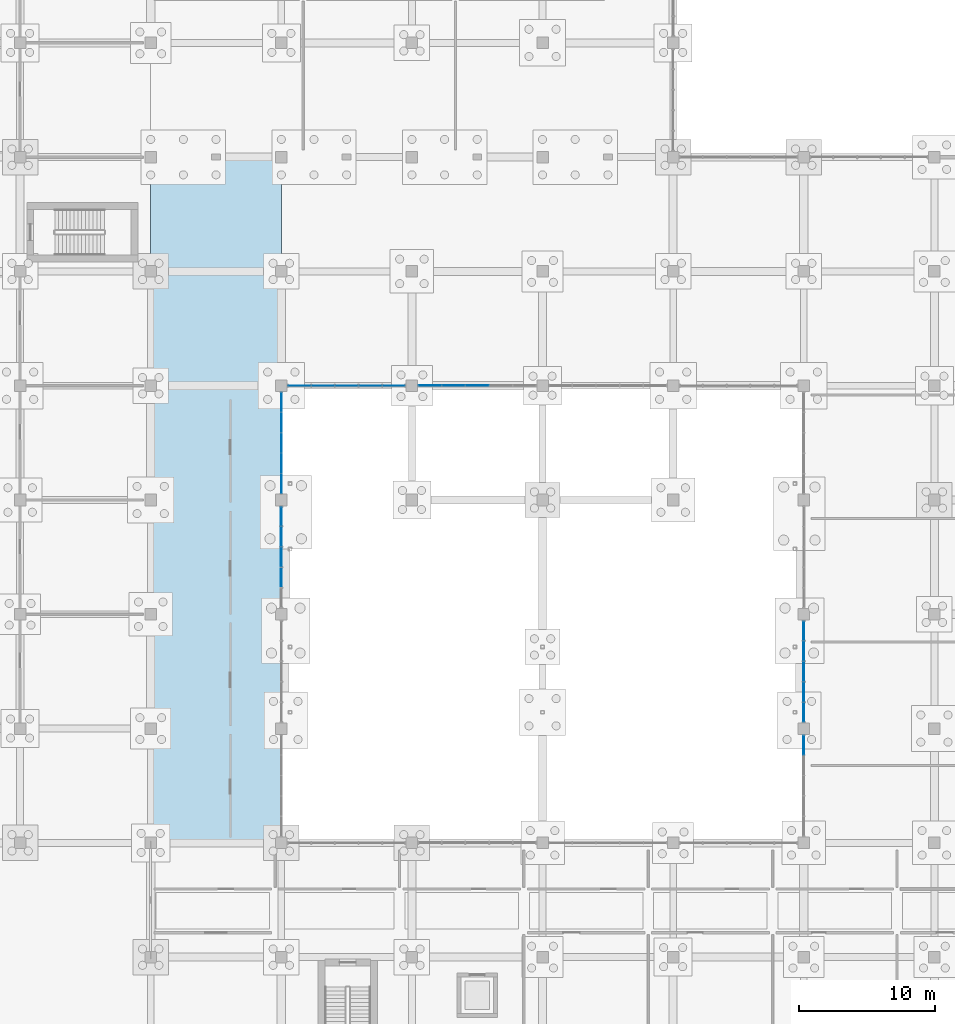
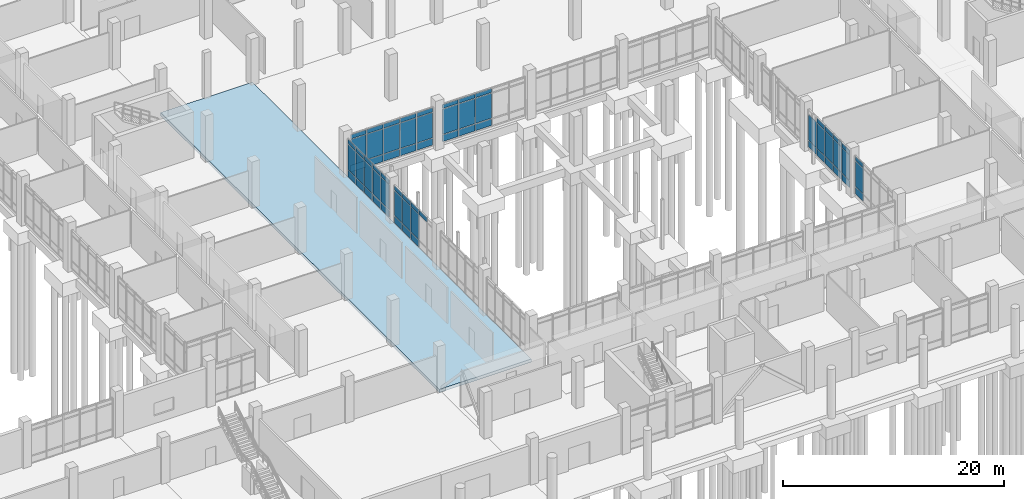
# One storey, part 84 of 136: 66 plates, 1 slab, 6 elements without a shape of their own.
"""IFC4 building model written with IfcOpenShell, lengths in metres."""

from ifc_helpers import new_model, si_unit, direction, frame, origin, origin_2d, place, context, subcontext, project, spatial, polyline, rectangle, outline, extrude, material, layer, layer_set, type_object, element, aggregate, save


model = new_model("IFC4")

# Units and contexts
model_context = context("Model", 3, precision=1e-05, world=origin(), true_north=direction((0.0, 1.0)))
body_context = subcontext(model_context, "Body", "Model", "MODEL_VIEW")
ifc_project = project(units=[si_unit("LENGTHUNIT", "METRE"), si_unit("AREAUNIT", "SQUARE_METRE"), si_unit("VOLUMEUNIT", "CUBIC_METRE"), si_unit("PLANEANGLEUNIT", "RADIAN"), si_unit("MASSUNIT", "GRAM", prefix="KILO")], contexts=[model_context])

# Site, building, storey
site_placement = place(None, origin())
site = spatial("IfcSite", under=ifc_project, at=site_placement, CompositionType="ELEMENT")
building_placement = place(site_placement, origin())
building = spatial("IfcBuilding", under=site, at=building_placement, Name="Oolite Switchyard Hospital", CompositionType="ELEMENT")
storey_placement = place(building_placement, origin())
storey = spatial("IfcBuildingStorey", under=building, at=storey_placement, Name="L00", CompositionType="ELEMENT", Elevation=0.0)

# Curtain wall, plates
ifc_material_1 = material(Name="Thermally broken aluminum frame with laminated impact glazing", Category="aluminium")
curtain_wall_type_1 = type_object("IfcCurtainWallType", Name="CW-UNIT-84X51", PredefinedType="USERDEFINED", material=ifc_material_1)
curtain_wall_1_placement = place(storey_placement, origin())
curtain_wall_1 = element("IfcCurtainWall", 1, at=curtain_wall_1_placement, inside=storey, type_object=curtain_wall_type_1, Name="L00 Unitised Curtain Wall 77", ObjectType="UNITISED", PredefinedType="USERDEFINED")
ifc_material_2 = material(Name="Insulated fluoropolymer-coated aluminum spandrel panel", Category="aluminium")
ifc_layer_1 = layer(ifc_material_2, 0.054931640625)
ifc_layer_set_1 = layer_set([ifc_layer_1], Name="CW-PNL-SPN55")
plate_type_1 = type_object("IfcPlateType", Name="CW-PNL-SPN55", PredefinedType="CURTAIN_PANEL", material=ifc_layer_set_1)
plate_1_placement = place(storey_placement, frame((144.0, 49.189208984375, 0.0751953125), z_axis=(0.0, 0.0, 1.0), x_axis=(0.0, -1.0, 0.0)))
plate_1 = element("IfcPlate", 2, at=plate_1_placement, type_object=plate_type_1, Name="CW-06 panel 1.1", PredefinedType="CURTAIN_PANEL", context=body_context, shape_type="SweptSolid", body=[
    extrude(rectangle(XDim=1.3916015625, YDim=0.054931640625, at=origin_2d()), origin(), (0.0, 0.0, 1.0), 0.737548828125),
])
plate_2_placement = place(storey_placement, frame((144.0, 49.189208984375, 0.8876953125), z_axis=(0.0, 0.0, 1.0), x_axis=(0.0, -1.0, 0.0)))
plate_2 = element("IfcPlate", 3, at=plate_2_placement, type_object=plate_type_1, Name="CW-06 panel 1.2", PredefinedType="CURTAIN_PANEL", context=body_context, shape_type="SweptSolid", body=[
    extrude(rectangle(XDim=1.3916015625, YDim=0.054931640625, at=origin_2d()), origin(), (0.0, 0.0, 1.0), 2.764892578125),
])
plate_3_placement = place(storey_placement, frame((144.0, 49.189208984375, 3.7275390625), z_axis=(0.0, 0.0, 1.0), x_axis=(0.0, -1.0, 0.0)))
plate_3 = element("IfcPlate", 4, at=plate_3_placement, type_object=plate_type_1, Name="CW-06 panel 1.3", PredefinedType="CURTAIN_PANEL", context=body_context, shape_type="SweptSolid", body=[
    extrude(rectangle(XDim=1.3916015625, YDim=0.054931640625, at=origin_2d()), origin(), (0.0, 0.0, 1.0), 0.4375),
])
plate_4_placement = place(storey_placement, frame((144.0, 47.7041015625, 0.0751953125), z_axis=(0.0, 0.0, 1.0), x_axis=(0.0, -1.0, 0.0)))
plate_4 = element("IfcPlate", 5, at=plate_4_placement, type_object=plate_type_1, Name="CW-06 panel 2.1", PredefinedType="CURTAIN_PANEL", context=body_context, shape_type="SweptSolid", body=[
    extrude(rectangle(XDim=1.428955078125, YDim=0.054931640625, at=origin_2d()), origin(), (0.0, 0.0, 1.0), 0.737548828125),
])
plate_5_placement = place(storey_placement, frame((144.0, 47.7041015625, 0.8876953125), z_axis=(0.0, 0.0, 1.0), x_axis=(0.0, -1.0, 0.0)))
plate_5 = element("IfcPlate", 6, at=plate_5_placement, type_object=plate_type_1, Name="CW-06 panel 2.2", PredefinedType="CURTAIN_PANEL", context=body_context, shape_type="SweptSolid", body=[
    extrude(rectangle(XDim=1.428955078125, YDim=0.054931640625, at=origin_2d()), origin(), (0.0, 0.0, 1.0), 2.764892578125),
])
plate_6_placement = place(storey_placement, frame((144.0, 47.7041015625, 3.7275390625), z_axis=(0.0, 0.0, 1.0), x_axis=(0.0, -1.0, 0.0)))
plate_6 = element("IfcPlate", 7, at=plate_6_placement, type_object=plate_type_1, Name="CW-06 panel 2.3", PredefinedType="CURTAIN_PANEL", context=body_context, shape_type="SweptSolid", body=[
    extrude(rectangle(XDim=1.428955078125, YDim=0.054931640625, at=origin_2d()), origin(), (0.0, 0.0, 1.0), 0.4375),
])
plate_7_placement = place(storey_placement, frame((144.0, 46.199951171875, 0.0751953125), z_axis=(0.0, 0.0, 1.0), x_axis=(0.0, -1.0, 0.0)))
plate_7 = element("IfcPlate", 8, at=plate_7_placement, type_object=plate_type_1, Name="CW-06 panel 3.1", PredefinedType="CURTAIN_PANEL", context=body_context, shape_type="SweptSolid", body=[
    extrude(rectangle(XDim=1.428955078125, YDim=0.054931640625, at=origin_2d()), origin(), (0.0, 0.0, 1.0), 0.737548828125),
])
plate_8_placement = place(storey_placement, frame((144.0, 46.199951171875, 0.8876953125), z_axis=(0.0, 0.0, 1.0), x_axis=(0.0, -1.0, 0.0)))
plate_8 = element("IfcPlate", 9, at=plate_8_placement, type_object=plate_type_1, Name="CW-06 panel 3.2", PredefinedType="CURTAIN_PANEL", context=body_context, shape_type="SweptSolid", body=[
    extrude(rectangle(XDim=1.428955078125, YDim=0.054931640625, at=origin_2d()), origin(), (0.0, 0.0, 1.0), 2.764892578125),
])
plate_9_placement = place(storey_placement, frame((144.0, 46.199951171875, 3.7275390625), z_axis=(0.0, 0.0, 1.0), x_axis=(0.0, -1.0, 0.0)))
plate_9 = element("IfcPlate", 10, at=plate_9_placement, type_object=plate_type_1, Name="CW-06 panel 3.3", PredefinedType="CURTAIN_PANEL", context=body_context, shape_type="SweptSolid", body=[
    extrude(rectangle(XDim=1.428955078125, YDim=0.054931640625, at=origin_2d()), origin(), (0.0, 0.0, 1.0), 0.4375),
])
plate_10_placement = place(storey_placement, frame((144.0, 44.696044921875, 3.7275390625), z_axis=(0.0, 0.0, 1.0), x_axis=(0.0, -1.0, 0.0)))
plate_10 = element("IfcPlate", 11, at=plate_10_placement, type_object=plate_type_1, Name="CW-06 panel 4.3", PredefinedType="CURTAIN_PANEL", context=body_context, shape_type="SweptSolid", body=[
    extrude(rectangle(XDim=1.428955078125, YDim=0.054931640625, at=origin_2d()), origin(), (0.0, 0.0, 1.0), 0.4375),
])
aggregate(curtain_wall_1, [plate_1, plate_2, plate_3, plate_4, plate_5, plate_6, plate_7, plate_8, plate_9, plate_10])

curtain_wall_2_placement = place(storey_placement, origin())
curtain_wall_2 = element("IfcCurtainWall", 12, at=curtain_wall_2_placement, inside=storey, type_object=curtain_wall_type_1, Name="L00 Unitised Curtain Wall 83", ObjectType="UNITISED", PredefinedType="USERDEFINED")
ifc_layer_2 = layer(ifc_material_2, 0.070068359375)
ifc_layer_set_2 = layer_set([ifc_layer_2], Name="CW-PNL-SPN70")
plate_type_2 = type_object("IfcPlateType", Name="CW-PNL-SPN70", PredefinedType="CURTAIN_PANEL", material=ifc_layer_set_2)
plate_11_placement = place(storey_placement, frame((182.39990234375, 34.810791015625, 0.0751953125), z_axis=(0.0, 0.0, 1.0), x_axis=(0.0, 1.0, 0.0)))
plate_11 = element("IfcPlate", 13, at=plate_11_placement, type_object=plate_type_2, Name="CW-06 panel 1.1", PredefinedType="CURTAIN_PANEL", context=body_context, shape_type="SweptSolid", body=[
    extrude(rectangle(XDim=1.3916015625, YDim=0.070068359375, at=origin_2d()), origin(), (0.0, 0.0, 1.0), 0.737548828125),
])
plate_12_placement = place(storey_placement, frame((182.39990234375, 34.810791015625, 0.8876953125), z_axis=(0.0, 0.0, 1.0), x_axis=(0.0, 1.0, 0.0)))
plate_12 = element("IfcPlate", 14, at=plate_12_placement, type_object=plate_type_2, Name="CW-06 panel 1.2", PredefinedType="CURTAIN_PANEL", context=body_context, shape_type="SweptSolid", body=[
    extrude(rectangle(XDim=1.3916015625, YDim=0.070068359375, at=origin_2d()), origin(), (0.0, 0.0, 1.0), 2.764892578125),
])
plate_13_placement = place(storey_placement, frame((182.39990234375, 34.810791015625, 3.7275390625), z_axis=(0.0, 0.0, 1.0), x_axis=(0.0, 1.0, 0.0)))
plate_13 = element("IfcPlate", 15, at=plate_13_placement, type_object=plate_type_2, Name="CW-06 panel 1.3", PredefinedType="CURTAIN_PANEL", context=body_context, shape_type="SweptSolid", body=[
    extrude(rectangle(XDim=1.3916015625, YDim=0.070068359375, at=origin_2d()), origin(), (0.0, 0.0, 1.0), 0.4375),
])
plate_14_placement = place(storey_placement, frame((182.39990234375, 36.2958984375, 0.0751953125), z_axis=(0.0, 0.0, 1.0), x_axis=(0.0, 1.0, 0.0)))
plate_14 = element("IfcPlate", 16, at=plate_14_placement, type_object=plate_type_2, Name="CW-06 panel 2.1", PredefinedType="CURTAIN_PANEL", context=body_context, shape_type="SweptSolid", body=[
    extrude(rectangle(XDim=1.428955078125, YDim=0.070068359375, at=origin_2d()), origin(), (0.0, 0.0, 1.0), 0.737548828125),
])
plate_15_placement = place(storey_placement, frame((182.39990234375, 36.2958984375, 0.8876953125), z_axis=(0.0, 0.0, 1.0), x_axis=(0.0, 1.0, 0.0)))
plate_15 = element("IfcPlate", 17, at=plate_15_placement, type_object=plate_type_2, Name="CW-06 panel 2.2", PredefinedType="CURTAIN_PANEL", context=body_context, shape_type="SweptSolid", body=[
    extrude(rectangle(XDim=1.428955078125, YDim=0.070068359375, at=origin_2d()), origin(), (0.0, 0.0, 1.0), 2.764892578125),
])
plate_16_placement = place(storey_placement, frame((182.39990234375, 36.2958984375, 3.7275390625), z_axis=(0.0, 0.0, 1.0), x_axis=(0.0, 1.0, 0.0)))
plate_16 = element("IfcPlate", 18, at=plate_16_placement, type_object=plate_type_2, Name="CW-06 panel 2.3", PredefinedType="CURTAIN_PANEL", context=body_context, shape_type="SweptSolid", body=[
    extrude(rectangle(XDim=1.428955078125, YDim=0.070068359375, at=origin_2d()), origin(), (0.0, 0.0, 1.0), 0.4375),
])
plate_17_placement = place(storey_placement, frame((182.39990234375, 37.800048828125, 0.0751953125), z_axis=(0.0, 0.0, 1.0), x_axis=(0.0, 1.0, 0.0)))
plate_17 = element("IfcPlate", 19, at=plate_17_placement, type_object=plate_type_2, Name="CW-06 panel 3.1", PredefinedType="CURTAIN_PANEL", context=body_context, shape_type="SweptSolid", body=[
    extrude(rectangle(XDim=1.428955078125, YDim=0.070068359375, at=origin_2d()), origin(), (0.0, 0.0, 1.0), 0.737548828125),
])
plate_18_placement = place(storey_placement, frame((182.39990234375, 37.800048828125, 0.8876953125), z_axis=(0.0, 0.0, 1.0), x_axis=(0.0, 1.0, 0.0)))
plate_18 = element("IfcPlate", 20, at=plate_18_placement, type_object=plate_type_2, Name="CW-06 panel 3.2", PredefinedType="CURTAIN_PANEL", context=body_context, shape_type="SweptSolid", body=[
    extrude(rectangle(XDim=1.428955078125, YDim=0.070068359375, at=origin_2d()), origin(), (0.0, 0.0, 1.0), 2.764892578125),
])
plate_19_placement = place(storey_placement, frame((182.39990234375, 37.800048828125, 3.7275390625), z_axis=(0.0, 0.0, 1.0), x_axis=(0.0, 1.0, 0.0)))
plate_19 = element("IfcPlate", 21, at=plate_19_placement, type_object=plate_type_2, Name="CW-06 panel 3.3", PredefinedType="CURTAIN_PANEL", context=body_context, shape_type="SweptSolid", body=[
    extrude(rectangle(XDim=1.428955078125, YDim=0.070068359375, at=origin_2d()), origin(), (0.0, 0.0, 1.0), 0.4375),
])
plate_20_placement = place(storey_placement, frame((182.39990234375, 39.303955078125, 0.0751953125), z_axis=(0.0, 0.0, 1.0), x_axis=(0.0, 1.0, 0.0)))
plate_20 = element("IfcPlate", 22, at=plate_20_placement, type_object=plate_type_2, Name="CW-06 panel 4.1", PredefinedType="CURTAIN_PANEL", context=body_context, shape_type="SweptSolid", body=[
    extrude(rectangle(XDim=1.428955078125, YDim=0.070068359375, at=origin_2d()), origin(), (0.0, 0.0, 1.0), 0.737548828125),
])
plate_21_placement = place(storey_placement, frame((182.39990234375, 39.303955078125, 0.8876953125), z_axis=(0.0, 0.0, 1.0), x_axis=(0.0, 1.0, 0.0)))
plate_21 = element("IfcPlate", 23, at=plate_21_placement, type_object=plate_type_2, Name="CW-06 panel 4.2", PredefinedType="CURTAIN_PANEL", context=body_context, shape_type="SweptSolid", body=[
    extrude(rectangle(XDim=1.428955078125, YDim=0.070068359375, at=origin_2d()), origin(), (0.0, 0.0, 1.0), 2.764892578125),
])
plate_22_placement = place(storey_placement, frame((182.39990234375, 39.303955078125, 3.7275390625), z_axis=(0.0, 0.0, 1.0), x_axis=(0.0, 1.0, 0.0)))
plate_22 = element("IfcPlate", 24, at=plate_22_placement, type_object=plate_type_2, Name="CW-06 panel 4.3", PredefinedType="CURTAIN_PANEL", context=body_context, shape_type="SweptSolid", body=[
    extrude(rectangle(XDim=1.428955078125, YDim=0.070068359375, at=origin_2d()), origin(), (0.0, 0.0, 1.0), 0.4375),
])
plate_23_placement = place(storey_placement, frame((182.39990234375, 40.789306640625, 0.0751953125), z_axis=(0.0, 0.0, 1.0), x_axis=(0.0, 1.0, 0.0)))
plate_23 = element("IfcPlate", 25, at=plate_23_placement, type_object=plate_type_2, Name="CW-06 panel 5.1", PredefinedType="CURTAIN_PANEL", context=body_context, shape_type="SweptSolid", body=[
    extrude(rectangle(XDim=1.3916015625, YDim=0.070068359375, at=origin_2d()), origin(), (0.0, 0.0, 1.0), 0.737548828125),
])
plate_24_placement = place(storey_placement, frame((182.39990234375, 40.789306640625, 0.8876953125), z_axis=(0.0, 0.0, 1.0), x_axis=(0.0, 1.0, 0.0)))
plate_24 = element("IfcPlate", 26, at=plate_24_placement, type_object=plate_type_2, Name="CW-06 panel 5.2", PredefinedType="CURTAIN_PANEL", context=body_context, shape_type="SweptSolid", body=[
    extrude(rectangle(XDim=1.3916015625, YDim=0.070068359375, at=origin_2d()), origin(), (0.0, 0.0, 1.0), 2.764892578125),
])
aggregate(curtain_wall_2, [plate_11, plate_12, plate_13, plate_14, plate_15, plate_16, plate_17, plate_18, plate_19, plate_20, plate_21, plate_22, plate_23, plate_24])

curtain_wall_type_2 = type_object("IfcCurtainWallType", Name="CW-UNIT-96X51", PredefinedType="USERDEFINED", material=ifc_material_1)
curtain_wall_3_placement = place(storey_placement, origin())
curtain_wall_3 = element("IfcCurtainWall", 27, at=curtain_wall_3_placement, inside=storey, type_object=curtain_wall_type_2, Name="L00 Unitised Curtain Wall 20", ObjectType="UNITISED", PredefinedType="USERDEFINED")
ifc_material_3 = material(Name="Laminated hurricane-impact insulated glazing unit", Category="glass")
ifc_layer_3 = layer(ifc_material_3, 0.028076171875)
ifc_layer_set_3 = layer_set([ifc_layer_3], Name="CW-PNL-VIS28")
plate_type_3 = type_object("IfcPlateType", Name="CW-PNL-VIS28", PredefinedType="CURTAIN_PANEL", material=ifc_layer_set_3)
plate_25_placement = place(storey_placement, frame((152.269287109375, 58.800048828125, 0.06005859375), z_axis=(0.0, 0.0, 1.0), x_axis=(-1.0, 0.0, 0.0)))
plate_25 = element("IfcPlate", 28, at=plate_25_placement, type_object=plate_type_3, Name="CW-01 panel 1.1", PredefinedType="CURTAIN_PANEL", context=body_context, shape_type="SweptSolid", body=[
    extrude(rectangle(XDim=1.631591796875, YDim=0.028076171875, at=origin_2d()), origin(), (0.0, 0.0, 1.0), 0.760009765625),
])
plate_26_placement = place(storey_placement, frame((152.269287109375, 58.800048828125, 0.8798828125), z_axis=(0.0, 0.0, 1.0), x_axis=(-1.0, 0.0, 0.0)))
plate_26 = element("IfcPlate", 29, at=plate_26_placement, type_object=plate_type_3, Name="CW-01 panel 1.2", PredefinedType="CURTAIN_PANEL", context=body_context, shape_type="SweptSolid", body=[
    extrude(rectangle(XDim=1.631591796875, YDim=0.028076171875, at=origin_2d()), origin(), (0.0, 0.0, 1.0), 2.780029296875),
])
plate_27_placement = place(storey_placement, frame((152.269287109375, 58.800048828125, 3.719970703125), z_axis=(0.0, 0.0, 1.0), x_axis=(-1.0, 0.0, 0.0)))
plate_27 = element("IfcPlate", 30, at=plate_27_placement, type_object=plate_type_3, Name="CW-01 panel 1.3", PredefinedType="CURTAIN_PANEL", context=body_context, shape_type="SweptSolid", body=[
    extrude(rectangle(XDim=1.631591796875, YDim=0.028076171875, at=origin_2d()), origin(), (0.0, 0.0, 1.0), 0.4599609375),
])
plate_28_placement = place(storey_placement, frame((150.5439453125, 58.800048828125, 0.06005859375), z_axis=(0.0, 0.0, 1.0), x_axis=(-1.0, 0.0, 0.0)))
plate_28 = element("IfcPlate", 31, at=plate_28_placement, type_object=plate_type_3, Name="CW-01 panel 2.1", PredefinedType="CURTAIN_PANEL", context=body_context, shape_type="SweptSolid", body=[
    extrude(rectangle(XDim=1.6689453125, YDim=0.028076171875, at=origin_2d()), origin(), (0.0, 0.0, 1.0), 0.760009765625),
])
plate_29_placement = place(storey_placement, frame((150.5439453125, 58.800048828125, 0.8798828125), z_axis=(0.0, 0.0, 1.0), x_axis=(-1.0, 0.0, 0.0)))
plate_29 = element("IfcPlate", 32, at=plate_29_placement, type_object=plate_type_3, Name="CW-01 panel 2.2", PredefinedType="CURTAIN_PANEL", context=body_context, shape_type="SweptSolid", body=[
    extrude(rectangle(XDim=1.6689453125, YDim=0.028076171875, at=origin_2d()), origin(), (0.0, 0.0, 1.0), 2.780029296875),
])
plate_30_placement = place(storey_placement, frame((150.5439453125, 58.800048828125, 3.719970703125), z_axis=(0.0, 0.0, 1.0), x_axis=(-1.0, 0.0, 0.0)))
plate_30 = element("IfcPlate", 33, at=plate_30_placement, type_object=plate_type_3, Name="CW-01 panel 2.3", PredefinedType="CURTAIN_PANEL", context=body_context, shape_type="SweptSolid", body=[
    extrude(rectangle(XDim=1.6689453125, YDim=0.028076171875, at=origin_2d()), origin(), (0.0, 0.0, 1.0), 0.4599609375),
])
plate_31_placement = place(storey_placement, frame((148.800048828125, 58.800048828125, 0.06005859375), z_axis=(0.0, 0.0, 1.0), x_axis=(-1.0, 0.0, 0.0)))
plate_31 = element("IfcPlate", 34, at=plate_31_placement, type_object=plate_type_3, Name="CW-01 panel 3.1", PredefinedType="CURTAIN_PANEL", context=body_context, shape_type="SweptSolid", body=[
    extrude(rectangle(XDim=1.6689453125, YDim=0.028076171875, at=origin_2d()), origin(), (0.0, 0.0, 1.0), 0.760009765625),
])
plate_32_placement = place(storey_placement, frame((148.800048828125, 58.800048828125, 0.8798828125), z_axis=(0.0, 0.0, 1.0), x_axis=(-1.0, 0.0, 0.0)))
plate_32 = element("IfcPlate", 35, at=plate_32_placement, type_object=plate_type_3, Name="CW-01 panel 3.2", PredefinedType="CURTAIN_PANEL", context=body_context, shape_type="SweptSolid", body=[
    extrude(rectangle(XDim=1.6689453125, YDim=0.028076171875, at=origin_2d()), origin(), (0.0, 0.0, 1.0), 2.780029296875),
])
plate_33_placement = place(storey_placement, frame((148.800048828125, 58.800048828125, 3.719970703125), z_axis=(0.0, 0.0, 1.0), x_axis=(-1.0, 0.0, 0.0)))
plate_33 = element("IfcPlate", 36, at=plate_33_placement, type_object=plate_type_3, Name="CW-01 panel 3.3", PredefinedType="CURTAIN_PANEL", context=body_context, shape_type="SweptSolid", body=[
    extrude(rectangle(XDim=1.6689453125, YDim=0.028076171875, at=origin_2d()), origin(), (0.0, 0.0, 1.0), 0.4599609375),
])
plate_34_placement = place(storey_placement, frame((147.055908203125, 58.800048828125, 0.06005859375), z_axis=(0.0, 0.0, 1.0), x_axis=(-1.0, 0.0, 0.0)))
plate_34 = element("IfcPlate", 37, at=plate_34_placement, type_object=plate_type_3, Name="CW-01 panel 4.1", PredefinedType="CURTAIN_PANEL", context=body_context, shape_type="SweptSolid", body=[
    extrude(rectangle(XDim=1.6689453125, YDim=0.028076171875, at=origin_2d()), origin(), (0.0, 0.0, 1.0), 0.760009765625),
])
plate_35_placement = place(storey_placement, frame((147.055908203125, 58.800048828125, 0.8798828125), z_axis=(0.0, 0.0, 1.0), x_axis=(-1.0, 0.0, 0.0)))
plate_35 = element("IfcPlate", 38, at=plate_35_placement, type_object=plate_type_3, Name="CW-01 panel 4.2", PredefinedType="CURTAIN_PANEL", context=body_context, shape_type="SweptSolid", body=[
    extrude(rectangle(XDim=1.6689453125, YDim=0.028076171875, at=origin_2d()), origin(), (0.0, 0.0, 1.0), 2.780029296875),
])
plate_36_placement = place(storey_placement, frame((147.055908203125, 58.800048828125, 3.719970703125), z_axis=(0.0, 0.0, 1.0), x_axis=(-1.0, 0.0, 0.0)))
plate_36 = element("IfcPlate", 39, at=plate_36_placement, type_object=plate_type_3, Name="CW-01 panel 4.3", PredefinedType="CURTAIN_PANEL", context=body_context, shape_type="SweptSolid", body=[
    extrude(rectangle(XDim=1.6689453125, YDim=0.028076171875, at=origin_2d()), origin(), (0.0, 0.0, 1.0), 0.4599609375),
])
plate_37_placement = place(storey_placement, frame((145.330810546875, 58.800048828125, 0.06005859375), z_axis=(0.0, 0.0, 1.0), x_axis=(-1.0, 0.0, 0.0)))
plate_37 = element("IfcPlate", 40, at=plate_37_placement, type_object=plate_type_3, Name="CW-01 panel 5.1", PredefinedType="CURTAIN_PANEL", context=body_context, shape_type="SweptSolid", body=[
    extrude(rectangle(XDim=1.631591796875, YDim=0.028076171875, at=origin_2d()), origin(), (0.0, 0.0, 1.0), 0.760009765625),
])
plate_38_placement = place(storey_placement, frame((145.330810546875, 58.800048828125, 0.8798828125), z_axis=(0.0, 0.0, 1.0), x_axis=(-1.0, 0.0, 0.0)))
plate_38 = element("IfcPlate", 41, at=plate_38_placement, type_object=plate_type_3, Name="CW-01 panel 5.2", PredefinedType="CURTAIN_PANEL", context=body_context, shape_type="SweptSolid", body=[
    extrude(rectangle(XDim=1.631591796875, YDim=0.028076171875, at=origin_2d()), origin(), (0.0, 0.0, 1.0), 2.780029296875),
])
plate_39_placement = place(storey_placement, frame((145.330810546875, 58.800048828125, 3.719970703125), z_axis=(0.0, 0.0, 1.0), x_axis=(-1.0, 0.0, 0.0)))
plate_39 = element("IfcPlate", 42, at=plate_39_placement, type_object=plate_type_3, Name="CW-01 panel 5.3", PredefinedType="CURTAIN_PANEL", context=body_context, shape_type="SweptSolid", body=[
    extrude(rectangle(XDim=1.631591796875, YDim=0.028076171875, at=origin_2d()), origin(), (0.0, 0.0, 1.0), 0.4599609375),
])
aggregate(curtain_wall_3, [plate_25, plate_26, plate_27, plate_28, plate_29, plate_30, plate_31, plate_32, plate_33, plate_34, plate_35, plate_36, plate_37, plate_38, plate_39])

curtain_wall_4_placement = place(storey_placement, origin())
curtain_wall_4 = element("IfcCurtainWall", 43, at=curtain_wall_4_placement, inside=storey, type_object=curtain_wall_type_1, Name="L00 Unitised Curtain Wall 78", ObjectType="UNITISED", PredefinedType="USERDEFINED")
plate_40_placement = place(storey_placement, frame((144.0, 57.593017578125, 0.06005859375), z_axis=(0.0, 0.0, 1.0), x_axis=(0.0, -1.0, 0.0)))
plate_40 = element("IfcPlate", 44, at=plate_40_placement, type_object=plate_type_3, Name="CW-06 panel 1.1", PredefinedType="CURTAIN_PANEL", context=body_context, shape_type="SweptSolid", body=[
    extrude(rectangle(XDim=1.4140625, YDim=0.028076171875, at=origin_2d()), origin(), (0.0, 0.0, 1.0), 0.760009765625),
])
plate_41_placement = place(storey_placement, frame((144.0, 57.593017578125, 0.8798828125), z_axis=(0.0, 0.0, 1.0), x_axis=(0.0, -1.0, 0.0)))
plate_41 = element("IfcPlate", 45, at=plate_41_placement, type_object=plate_type_3, Name="CW-06 panel 1.2", PredefinedType="CURTAIN_PANEL", context=body_context, shape_type="SweptSolid", body=[
    extrude(rectangle(XDim=1.4140625, YDim=0.028076171875, at=origin_2d()), origin(), (0.0, 0.0, 1.0), 2.780029296875),
])
plate_42_placement = place(storey_placement, frame((144.0, 57.593017578125, 3.719970703125), z_axis=(0.0, 0.0, 1.0), x_axis=(0.0, -1.0, 0.0)))
plate_42 = element("IfcPlate", 46, at=plate_42_placement, type_object=plate_type_3, Name="CW-06 panel 1.3", PredefinedType="CURTAIN_PANEL", context=body_context, shape_type="SweptSolid", body=[
    extrude(rectangle(XDim=1.4140625, YDim=0.028076171875, at=origin_2d()), origin(), (0.0, 0.0, 1.0), 0.4599609375),
])
plate_43_placement = place(storey_placement, frame((144.0, 56.10400390625, 0.06005859375), z_axis=(0.0, 0.0, 1.0), x_axis=(0.0, -1.0, 0.0)))
plate_43 = element("IfcPlate", 47, at=plate_43_placement, type_object=plate_type_3, Name="CW-06 panel 2.1", PredefinedType="CURTAIN_PANEL", context=body_context, shape_type="SweptSolid", body=[
    extrude(rectangle(XDim=1.444091796875, YDim=0.028076171875, at=origin_2d()), origin(), (0.0, 0.0, 1.0), 0.760009765625),
])
plate_44_placement = place(storey_placement, frame((144.0, 56.10400390625, 0.8798828125), z_axis=(0.0, 0.0, 1.0), x_axis=(0.0, -1.0, 0.0)))
plate_44 = element("IfcPlate", 48, at=plate_44_placement, type_object=plate_type_3, Name="CW-06 panel 2.2", PredefinedType="CURTAIN_PANEL", context=body_context, shape_type="SweptSolid", body=[
    extrude(rectangle(XDim=1.444091796875, YDim=0.028076171875, at=origin_2d()), origin(), (0.0, 0.0, 1.0), 2.780029296875),
])
plate_45_placement = place(storey_placement, frame((144.0, 56.10400390625, 3.719970703125), z_axis=(0.0, 0.0, 1.0), x_axis=(0.0, -1.0, 0.0)))
plate_45 = element("IfcPlate", 49, at=plate_45_placement, type_object=plate_type_3, Name="CW-06 panel 2.3", PredefinedType="CURTAIN_PANEL", context=body_context, shape_type="SweptSolid", body=[
    extrude(rectangle(XDim=1.444091796875, YDim=0.028076171875, at=origin_2d()), origin(), (0.0, 0.0, 1.0), 0.4599609375),
])
plate_46_placement = place(storey_placement, frame((144.0, 54.60009765625, 0.06005859375), z_axis=(0.0, 0.0, 1.0), x_axis=(0.0, -1.0, 0.0)))
plate_46 = element("IfcPlate", 50, at=plate_46_placement, type_object=plate_type_3, Name="CW-06 panel 3.1", PredefinedType="CURTAIN_PANEL", context=body_context, shape_type="SweptSolid", body=[
    extrude(rectangle(XDim=1.444091796875, YDim=0.028076171875, at=origin_2d()), origin(), (0.0, 0.0, 1.0), 0.760009765625),
])
plate_47_placement = place(storey_placement, frame((144.0, 54.60009765625, 0.8798828125), z_axis=(0.0, 0.0, 1.0), x_axis=(0.0, -1.0, 0.0)))
plate_47 = element("IfcPlate", 51, at=plate_47_placement, type_object=plate_type_3, Name="CW-06 panel 3.2", PredefinedType="CURTAIN_PANEL", context=body_context, shape_type="SweptSolid", body=[
    extrude(rectangle(XDim=1.444091796875, YDim=0.028076171875, at=origin_2d()), origin(), (0.0, 0.0, 1.0), 2.780029296875),
])
plate_48_placement = place(storey_placement, frame((144.0, 54.60009765625, 3.719970703125), z_axis=(0.0, 0.0, 1.0), x_axis=(0.0, -1.0, 0.0)))
plate_48 = element("IfcPlate", 52, at=plate_48_placement, type_object=plate_type_3, Name="CW-06 panel 3.3", PredefinedType="CURTAIN_PANEL", context=body_context, shape_type="SweptSolid", body=[
    extrude(rectangle(XDim=1.444091796875, YDim=0.028076171875, at=origin_2d()), origin(), (0.0, 0.0, 1.0), 0.4599609375),
])
plate_49_placement = place(storey_placement, frame((144.0, 53.095947265625, 0.06005859375), z_axis=(0.0, 0.0, 1.0), x_axis=(0.0, -1.0, 0.0)))
plate_49 = element("IfcPlate", 53, at=plate_49_placement, type_object=plate_type_3, Name="CW-06 panel 4.1", PredefinedType="CURTAIN_PANEL", context=body_context, shape_type="SweptSolid", body=[
    extrude(rectangle(XDim=1.444091796875, YDim=0.028076171875, at=origin_2d()), origin(), (0.0, 0.0, 1.0), 0.760009765625),
])
plate_50_placement = place(storey_placement, frame((144.0, 53.095947265625, 0.8798828125), z_axis=(0.0, 0.0, 1.0), x_axis=(0.0, -1.0, 0.0)))
plate_50 = element("IfcPlate", 54, at=plate_50_placement, type_object=plate_type_3, Name="CW-06 panel 4.2", PredefinedType="CURTAIN_PANEL", context=body_context, shape_type="SweptSolid", body=[
    extrude(rectangle(XDim=1.444091796875, YDim=0.028076171875, at=origin_2d()), origin(), (0.0, 0.0, 1.0), 2.780029296875),
])
plate_51_placement = place(storey_placement, frame((144.0, 53.095947265625, 3.719970703125), z_axis=(0.0, 0.0, 1.0), x_axis=(0.0, -1.0, 0.0)))
plate_51 = element("IfcPlate", 55, at=plate_51_placement, type_object=plate_type_3, Name="CW-06 panel 4.3", PredefinedType="CURTAIN_PANEL", context=body_context, shape_type="SweptSolid", body=[
    extrude(rectangle(XDim=1.444091796875, YDim=0.028076171875, at=origin_2d()), origin(), (0.0, 0.0, 1.0), 0.4599609375),
])
plate_52_placement = place(storey_placement, frame((144.0, 51.60693359375, 0.06005859375), z_axis=(0.0, 0.0, 1.0), x_axis=(0.0, -1.0, 0.0)))
plate_52 = element("IfcPlate", 56, at=plate_52_placement, type_object=plate_type_3, Name="CW-06 panel 5.1", PredefinedType="CURTAIN_PANEL", context=body_context, shape_type="SweptSolid", body=[
    extrude(rectangle(XDim=1.4140625, YDim=0.028076171875, at=origin_2d()), origin(), (0.0, 0.0, 1.0), 0.760009765625),
])
plate_53_placement = place(storey_placement, frame((144.0, 51.60693359375, 0.8798828125), z_axis=(0.0, 0.0, 1.0), x_axis=(0.0, -1.0, 0.0)))
plate_53 = element("IfcPlate", 57, at=plate_53_placement, type_object=plate_type_3, Name="CW-06 panel 5.2", PredefinedType="CURTAIN_PANEL", context=body_context, shape_type="SweptSolid", body=[
    extrude(rectangle(XDim=1.4140625, YDim=0.028076171875, at=origin_2d()), origin(), (0.0, 0.0, 1.0), 2.780029296875),
])
plate_54_placement = place(storey_placement, frame((144.0, 51.60693359375, 3.719970703125), z_axis=(0.0, 0.0, 1.0), x_axis=(0.0, -1.0, 0.0)))
plate_54 = element("IfcPlate", 58, at=plate_54_placement, type_object=plate_type_3, Name="CW-06 panel 5.3", PredefinedType="CURTAIN_PANEL", context=body_context, shape_type="SweptSolid", body=[
    extrude(rectangle(XDim=1.4140625, YDim=0.028076171875, at=origin_2d()), origin(), (0.0, 0.0, 1.0), 0.4599609375),
])
aggregate(curtain_wall_4, [plate_40, plate_41, plate_42, plate_43, plate_44, plate_45, plate_46, plate_47, plate_48, plate_49, plate_50, plate_51, plate_52, plate_53, plate_54])

curtain_wall_5_placement = place(storey_placement, origin())
curtain_wall_5 = element("IfcCurtainWall", 59, at=curtain_wall_5_placement, inside=storey, type_object=curtain_wall_type_2, Name="L00 Unitised Curtain Wall 21", ObjectType="UNITISED", PredefinedType="USERDEFINED")
ifc_layer_4 = layer(ifc_material_3, 0.035888671875)
ifc_layer_set_4 = layer_set([ifc_layer_4], Name="CW-PNL-VIS36")
plate_type_4 = type_object("IfcPlateType", Name="CW-PNL-VIS36", PredefinedType="CURTAIN_PANEL", material=ifc_layer_set_4)
plate_55_placement = place(storey_placement, frame((158.39990234375, 58.800048828125, 0.0751953125), z_axis=(0.0, 0.0, 1.0), x_axis=(-1.0, 0.0, 0.0)))
plate_55 = element("IfcPlate", 60, at=plate_55_placement, type_object=plate_type_4, Name="CW-01 panel 3.1", PredefinedType="CURTAIN_PANEL", context=body_context, shape_type="SweptSolid", body=[
    extrude(rectangle(XDim=1.68408203125, YDim=0.035888671875, at=origin_2d()), origin(), (0.0, 0.0, 1.0), 0.737548828125),
])
plate_56_placement = place(storey_placement, frame((158.39990234375, 58.800048828125, 0.8876953125), z_axis=(0.0, 0.0, 1.0), x_axis=(-1.0, 0.0, 0.0)))
plate_56 = element("IfcPlate", 61, at=plate_56_placement, type_object=plate_type_4, Name="CW-01 panel 3.2", PredefinedType="CURTAIN_PANEL", context=body_context, shape_type="SweptSolid", body=[
    extrude(rectangle(XDim=1.68408203125, YDim=0.035888671875, at=origin_2d()), origin(), (0.0, 0.0, 1.0), 2.764892578125),
])
plate_57_placement = place(storey_placement, frame((158.39990234375, 58.800048828125, 3.7275390625), z_axis=(0.0, 0.0, 1.0), x_axis=(-1.0, 0.0, 0.0)))
plate_57 = element("IfcPlate", 62, at=plate_57_placement, type_object=plate_type_4, Name="CW-01 panel 3.3", PredefinedType="CURTAIN_PANEL", context=body_context, shape_type="SweptSolid", body=[
    extrude(rectangle(XDim=1.68408203125, YDim=0.035888671875, at=origin_2d()), origin(), (0.0, 0.0, 1.0), 0.4375),
])
plate_58_placement = place(storey_placement, frame((156.656005859375, 58.800048828125, 0.0751953125), z_axis=(0.0, 0.0, 1.0), x_axis=(-1.0, 0.0, 0.0)))
plate_58 = element("IfcPlate", 63, at=plate_58_placement, type_object=plate_type_4, Name="CW-01 panel 4.1", PredefinedType="CURTAIN_PANEL", context=body_context, shape_type="SweptSolid", body=[
    extrude(rectangle(XDim=1.68408203125, YDim=0.035888671875, at=origin_2d()), origin(), (0.0, 0.0, 1.0), 0.737548828125),
])
plate_59_placement = place(storey_placement, frame((156.656005859375, 58.800048828125, 0.8876953125), z_axis=(0.0, 0.0, 1.0), x_axis=(-1.0, 0.0, 0.0)))
plate_59 = element("IfcPlate", 64, at=plate_59_placement, type_object=plate_type_4, Name="CW-01 panel 4.2", PredefinedType="CURTAIN_PANEL", context=body_context, shape_type="SweptSolid", body=[
    extrude(rectangle(XDim=1.68408203125, YDim=0.035888671875, at=origin_2d()), origin(), (0.0, 0.0, 1.0), 2.764892578125),
])
plate_60_placement = place(storey_placement, frame((156.656005859375, 58.800048828125, 3.7275390625), z_axis=(0.0, 0.0, 1.0), x_axis=(-1.0, 0.0, 0.0)))
plate_60 = element("IfcPlate", 65, at=plate_60_placement, type_object=plate_type_4, Name="CW-01 panel 4.3", PredefinedType="CURTAIN_PANEL", context=body_context, shape_type="SweptSolid", body=[
    extrude(rectangle(XDim=1.68408203125, YDim=0.035888671875, at=origin_2d()), origin(), (0.0, 0.0, 1.0), 0.4375),
])
plate_61_placement = place(storey_placement, frame((154.927001953125, 58.800048828125, 0.0751953125), z_axis=(0.0, 0.0, 1.0), x_axis=(-1.0, 0.0, 0.0)))
plate_61 = element("IfcPlate", 66, at=plate_61_placement, type_object=plate_type_4, Name="CW-01 panel 5.1", PredefinedType="CURTAIN_PANEL", context=body_context, shape_type="SweptSolid", body=[
    extrude(rectangle(XDim=1.654052734375, YDim=0.035888671875, at=origin_2d()), origin(), (0.0, 0.0, 1.0), 0.737548828125),
])
plate_62_placement = place(storey_placement, frame((154.927001953125, 58.800048828125, 0.8876953125), z_axis=(0.0, 0.0, 1.0), x_axis=(-1.0, 0.0, 0.0)))
plate_62 = element("IfcPlate", 67, at=plate_62_placement, type_object=plate_type_4, Name="CW-01 panel 5.2", PredefinedType="CURTAIN_PANEL", context=body_context, shape_type="SweptSolid", body=[
    extrude(rectangle(XDim=1.654052734375, YDim=0.035888671875, at=origin_2d()), origin(), (0.0, 0.0, 1.0), 2.764892578125),
])
plate_63_placement = place(storey_placement, frame((154.927001953125, 58.800048828125, 3.7275390625), z_axis=(0.0, 0.0, 1.0), x_axis=(-1.0, 0.0, 0.0)))
plate_63 = element("IfcPlate", 68, at=plate_63_placement, type_object=plate_type_4, Name="CW-01 panel 5.3", PredefinedType="CURTAIN_PANEL", context=body_context, shape_type="SweptSolid", body=[
    extrude(rectangle(XDim=1.654052734375, YDim=0.035888671875, at=origin_2d()), origin(), (0.0, 0.0, 1.0), 0.4375),
])
aggregate(curtain_wall_5, [plate_55, plate_56, plate_57, plate_58, plate_59, plate_60, plate_61, plate_62, plate_63])

curtain_wall_6_placement = place(storey_placement, origin())
curtain_wall_6 = element("IfcCurtainWall", 69, at=curtain_wall_6_placement, inside=storey, type_object=curtain_wall_type_1, Name="L00 Unitised Curtain Wall 82", ObjectType="UNITISED", PredefinedType="USERDEFINED")
ifc_layer_5 = layer(ifc_material_3, 0.0419921875)
ifc_layer_set_5 = layer_set([ifc_layer_5], Name="CW-PNL-VIS42")
plate_type_5 = type_object("IfcPlateType", Name="CW-PNL-VIS42", PredefinedType="CURTAIN_PANEL", material=ifc_layer_set_5)
plate_64_placement = place(storey_placement, frame((182.39990234375, 32.390380859375, 0.06005859375), z_axis=(0.0, 0.0, 1.0), x_axis=(0.0, 1.0, 0.0)))
plate_64 = element("IfcPlate", 70, at=plate_64_placement, type_object=plate_type_5, Name="CW-06 panel 5.1", PredefinedType="CURTAIN_PANEL", context=body_context, shape_type="SweptSolid", body=[
    extrude(rectangle(XDim=1.39892578125, YDim=0.0419921875, at=origin_2d()), origin(), (0.0, 0.0, 1.0), 0.760009765625),
])
plate_65_placement = place(storey_placement, frame((182.39990234375, 32.390380859375, 0.8798828125), z_axis=(0.0, 0.0, 1.0), x_axis=(0.0, 1.0, 0.0)))
plate_65 = element("IfcPlate", 71, at=plate_65_placement, type_object=plate_type_5, Name="CW-06 panel 5.2", PredefinedType="CURTAIN_PANEL", context=body_context, shape_type="SweptSolid", body=[
    extrude(rectangle(XDim=1.39892578125, YDim=0.0419921875, at=origin_2d()), origin(), (0.0, 0.0, 1.0), 2.780029296875),
])
plate_66_placement = place(storey_placement, frame((182.39990234375, 32.390380859375, 3.719970703125), z_axis=(0.0, 0.0, 1.0), x_axis=(0.0, 1.0, 0.0)))
plate_66 = element("IfcPlate", 72, at=plate_66_placement, type_object=plate_type_5, Name="CW-06 panel 5.3", PredefinedType="CURTAIN_PANEL", context=body_context, shape_type="SweptSolid", body=[
    extrude(rectangle(XDim=1.39892578125, YDim=0.0419921875, at=origin_2d()), origin(), (0.0, 0.0, 1.0), 0.4599609375),
])
aggregate(curtain_wall_6, [plate_64, plate_65, plate_66])

# Slab
ifc_material_4 = material(Name="Concrete C40/50", Category="concrete")
ifc_layer_6 = layer(ifc_material_4, 0.35009765625)
ifc_layer_set_6 = layer_set([ifc_layer_6], Name="SLB-BASE-350")
slab_type = type_object("IfcSlabType", Name="SLB-BASE-350", PredefinedType="BASESLAB", material=ifc_layer_set_6)
slab_placement = place(storey_placement, frame((0.0, 0.0, -0.35009765625)))
element("IfcSlab", 73, at=slab_placement, inside=storey, type_object=slab_type, Name="L00 V6 Slab V6W", PredefinedType="BASESLAB", context=body_context, shape_type="SweptSolid", body=[
    extrude(outline(polyline([(134.39990234375, 25.199951171875), (144.0, 25.199951171875), (144.0, 75.60009765625), (134.39990234375, 75.60009765625), (134.39990234375, 25.199951171875)])), origin(), (0.0, 0.0, 1.0), 0.35009765625),
])

save(model, "model.ifc")
